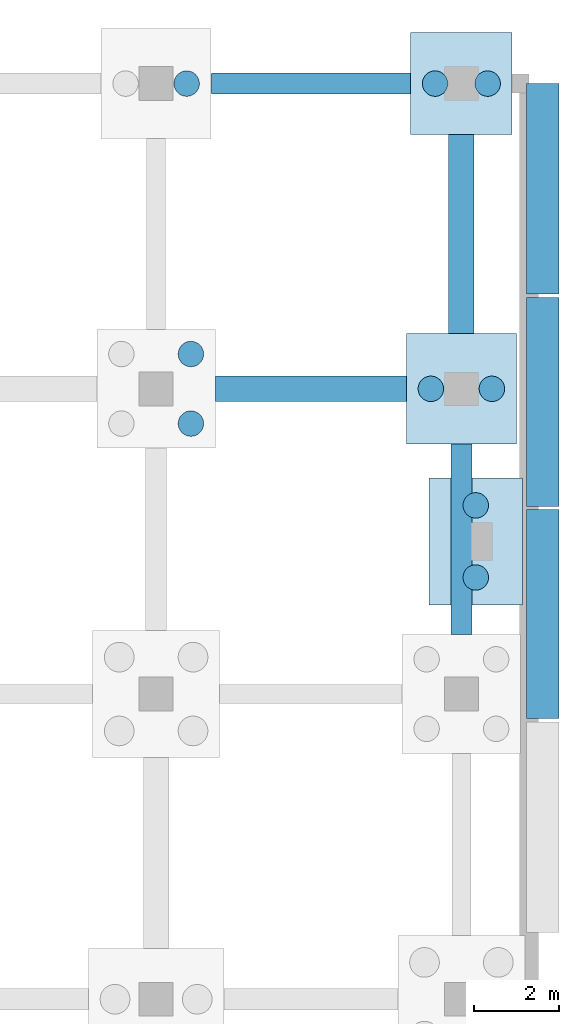
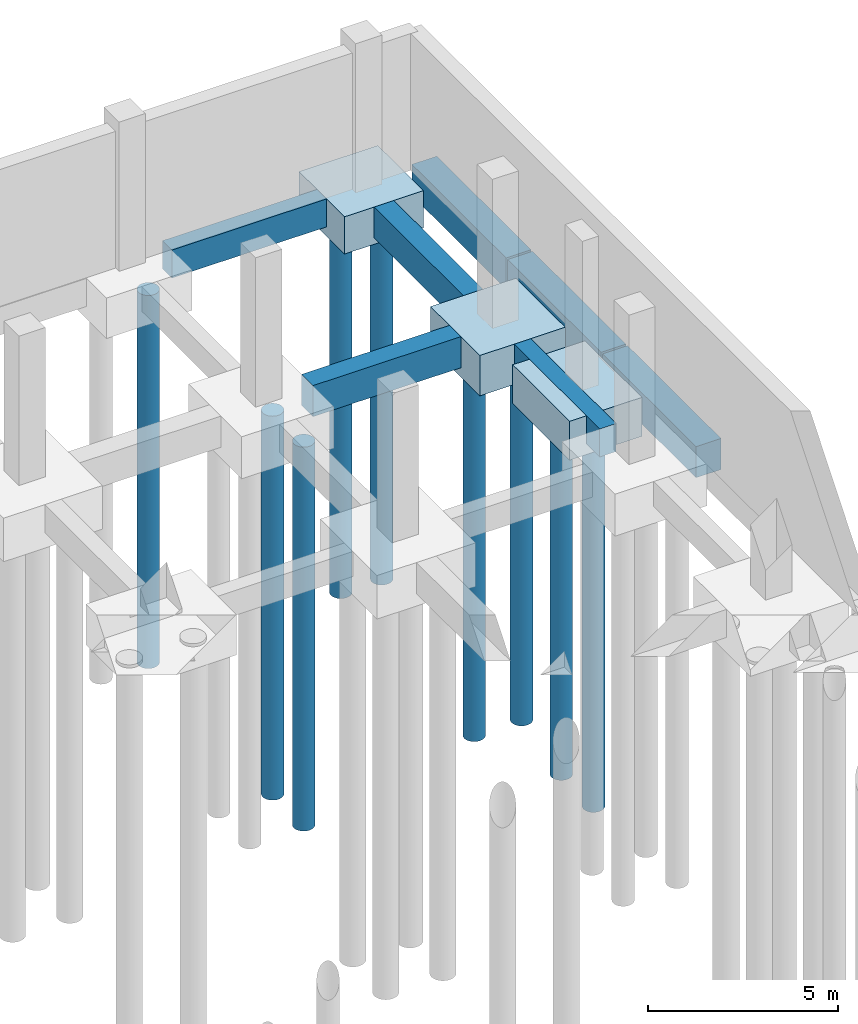
# One storey, part 16 of 38: 10 footings, 9 piles.
"""IFC4 building model written with IfcOpenShell, lengths in metres."""

from ifc_helpers import new_model, si_unit, direction, frame, origin, origin_2d, place, context, subcontext, project, spatial, rectangle, circle, extrude, material, material_profile, profile_set, type_object, element, save


model = new_model("IFC4")

# Units and contexts
model_context = context("Model", 3, precision=1e-05, world=origin(), true_north=direction((0.0, 1.0)))
body_context = subcontext(model_context, "Body", "Model", "MODEL_VIEW")
ifc_project = project(units=[si_unit("LENGTHUNIT", "METRE"), si_unit("AREAUNIT", "SQUARE_METRE"), si_unit("VOLUMEUNIT", "CUBIC_METRE"), si_unit("PLANEANGLEUNIT", "RADIAN"), si_unit("MASSUNIT", "GRAM", prefix="KILO")], contexts=[model_context])

# Site, building, storey
site_placement = place(None, origin())
site = spatial("IfcSite", under=ifc_project, at=site_placement, CompositionType="ELEMENT")
building_placement = place(site_placement, origin())
building = spatial("IfcBuilding", under=site, at=building_placement, Name="Valkovuoma Quantum and Materials Research Institute", CompositionType="ELEMENT")
storey_placement = place(building_placement, frame((0.0, 0.0, -4.800048828125)))
storey = spatial("IfcBuildingStorey", under=building, at=storey_placement, Name="B1", CompositionType="ELEMENT", Elevation=-4.800048828125)

# Footings
ifc_material_1 = material(Name="Concrete C35/45", Category="concrete")
footing_type_1 = type_object("IfcFootingType", Name="Cap-PC-03", PredefinedType="PILE_CAP", material=ifc_material_1)
footing_1_placement = place(storey_placement, frame((165.60009765625, 115.199951171875, -1.19970703125), z_axis=(0.0, 0.0, 1.0), x_axis=(1.0, 0.0, 0.0)))
element("IfcFooting", 1, at=footing_1_placement, inside=storey, type_object=footing_type_1, Name="B1 pile cap 24S", PredefinedType="PILE_CAP", context=body_context, shape_type="SweptSolid", body=[
    extrude(rectangle(XDim=2.39990234375, YDim=2.39990234375, at=origin_2d()), origin(), (0.0, 0.0, 1.0), 1.199951171875),
])
ifc_material_2 = material(Name="Concrete C35/45", Category="concrete")
footing_type_2 = type_object("IfcFootingType", Name="Cap-PC-04", PredefinedType="PILE_CAP", material=ifc_material_2)
footing_2_placement = place(storey_placement, frame((165.60009765625, 108.0, -1.2998046875), z_axis=(0.0, 0.0, 1.0), x_axis=(1.0, 0.0, 0.0)))
element("IfcFooting", 2, at=footing_2_placement, inside=storey, type_object=footing_type_2, Name="B1 pile cap 24R", PredefinedType="PILE_CAP", context=body_context, shape_type="SweptSolid", body=[
    extrude(rectangle(XDim=2.60009765625, YDim=2.60009765625, at=origin_2d()), origin(), (0.0, 0.0, 1.0), 1.300048828125),
])
ifc_material_3 = material(Name="Concrete C35/45", Category="concrete")
footing_type_3 = type_object("IfcFootingType", Name="Cap-PC-11", PredefinedType="PILE_CAP", material=ifc_material_3)
footing_3_placement = place(storey_placement, frame((165.93994140625, 104.39990234375, -1.25), z_axis=(0.0, 0.0, 1.0), x_axis=(1.0, 0.0, 0.0)))
element("IfcFooting", 3, at=footing_3_placement, inside=storey, type_object=footing_type_3, Name="B1 pilaster pile cap 05", PredefinedType="PILE_CAP", context=body_context, shape_type="SweptSolid", body=[
    extrude(rectangle(XDim=2.199951171875, YDim=3.0, at=origin_2d()), origin(), (0.0, 0.0, 1.0), 1.25),
])
ifc_material_4 = material(Name="Concrete C35/45", Category="concrete")
footing_type_4 = type_object("IfcFootingType", Name="GndBeam-FB-02", PredefinedType="FOOTING_BEAM", material=ifc_material_4)
footing_4_placement = place(storey_placement, frame((162.050048828125, 115.199951171875, -0.89990234375), z_axis=(0.0, 0.0, 1.0), x_axis=(1.0, 0.0, 0.0)))
element("IfcFooting", 4, at=footing_4_placement, inside=storey, type_object=footing_type_4, Name="B1 ground tie beam X-430", PredefinedType="FOOTING_BEAM", context=body_context, shape_type="SweptSolid", body=[
    extrude(rectangle(XDim=4.699951171875, YDim=0.5, at=origin_2d()), origin(), (0.0, 0.0, 1.0), 0.89990234375),
])
footing_5_placement = place(storey_placement, frame((165.60009765625, 104.449951171875, -0.89990234375), z_axis=(0.0, 0.0, 1.0), x_axis=(0.0, 1.0, 0.0)))
element("IfcFooting", 5, at=footing_5_placement, inside=storey, type_object=footing_type_4, Name="B1 ground tie beam Y-445", PredefinedType="FOOTING_BEAM", context=body_context, shape_type="SweptSolid", body=[
    extrude(rectangle(XDim=4.5, YDim=0.5, at=origin_2d()), origin(), (0.0, 0.0, 1.0), 0.89990234375),
])
ifc_material_5 = material(Name="Concrete C35/45", Category="concrete")
footing_type_5 = type_object("IfcFootingType", Name="GndBeam-FB-03", PredefinedType="FOOTING_BEAM", material=ifc_material_5)
footing_6_placement = place(storey_placement, frame((162.050048828125, 108.0, -1.0), z_axis=(0.0, 0.0, 1.0), x_axis=(1.0, 0.0, 0.0)))
element("IfcFooting", 6, at=footing_6_placement, inside=storey, type_object=footing_type_5, Name="B1 ground tie beam X-428", PredefinedType="FOOTING_BEAM", context=body_context, shape_type="SweptSolid", body=[
    extrude(rectangle(XDim=4.5, YDim=0.60009765625, at=origin_2d()), origin(), (0.0, 0.0, 1.0), 1.0),
])
footing_7_placement = place(storey_placement, frame((165.60009765625, 111.64990234375, -1.0), z_axis=(0.0, 0.0, 1.0), x_axis=(0.0, 1.0, 0.0)))
element("IfcFooting", 7, at=footing_7_placement, inside=storey, type_object=footing_type_5, Name="B1 ground tie beam Y-446", PredefinedType="FOOTING_BEAM", context=body_context, shape_type="SweptSolid", body=[
    extrude(rectangle(XDim=4.699951171875, YDim=0.60009765625, at=origin_2d()), origin(), (0.0, 0.0, 1.0), 1.0),
])
ifc_material_6 = material(Name="Concrete C35/45", Category="concrete")
footing_type_6 = type_object("IfcFootingType", Name="Pad-PF-04", PredefinedType="PAD_FOOTING", material=ifc_material_6)
for number, where, z_axis, x_axis, name in (
    (8, (167.52001953125, 102.6875, -1.0), (0.0, 0.0, 1.0), (0.0, 1.0, 0.0), "B1 retaining wall pad footing 031"),
    (9, (167.52001953125, 107.6923828125, -1.0), (0.0, 0.0, 1.0), (0.0, 1.0, 0.0), "B1 retaining wall pad footing 032"),
):
    element("IfcFooting", number, at=place(storey_placement, frame(where, z_axis=z_axis, x_axis=x_axis)), inside=storey, type_object=footing_type_6, Name=name, PredefinedType="PAD_FOOTING", context=body_context, shape_type="SweptSolid", body=[
        extrude(rectangle(XDim=4.925048828125, YDim=0.760009765625, at=origin_2d()), origin(), (0.0, 0.0, 1.0), 1.0),
    ])
footing_8_placement = place(storey_placement, frame((167.52001953125, 112.717529296875, -1.0), z_axis=(0.0, 0.0, 1.0), x_axis=(0.0, 1.0, 0.0)))
element("IfcFooting", 10, at=footing_8_placement, inside=storey, type_object=footing_type_6, Name="B1 retaining wall pad footing 033", PredefinedType="PAD_FOOTING", context=body_context, shape_type="SweptSolid", body=[
    extrude(rectangle(XDim=4.965087890625, YDim=0.760009765625, at=origin_2d()), origin(), (0.0, 0.0, 1.0), 1.0),
])

# Piles
ifc_material_7 = material(Name="Concrete C40/50", Category="concrete")
ifc_material_profile = material_profile(ifc_material_7, circle(Radius=0.300048828125, at=origin_2d()), Name="Concrete C40/50")
ifc_profile_set = profile_set([ifc_material_profile], Name="Concrete C40/50")
pile_type = type_object("IfcPileType", Name="Pile-PL-B600", PredefinedType="BORED", material=ifc_profile_set)
for number, where, z_axis, x_axis, name in (
    (11, (159.219970703125, 107.179931640625, -1.25), (0.0, 0.0, -1.0), (1.0, 0.0, 0.0), "B1 pile 23R-2"),
    (12, (159.219970703125, 108.820068359375, -1.25), (0.0, 0.0, -1.0), (1.0, 0.0, 0.0), "B1 pile 23R-4"),
):
    element("IfcPile", number, at=place(storey_placement, frame(where, z_axis=z_axis, x_axis=x_axis)), inside=storey, type_object=pile_type, Name=name, PredefinedType="BORED", context=body_context, shape_type="SweptSolid", body=[
        extrude(circle(Radius=0.300048828125, at=origin_2d()), origin(), (0.0, 0.0, 1.0), 12.35009765625),
    ])
for number, where, z_axis, x_axis, name in (
    (13, (159.1201171875, 115.199951171875, -1.199951171875), (0.0, 0.0, -1.0), (1.0, 0.0, 0.0), "B1 pile 23S-2"),
    (14, (164.8798828125, 108.0, -1.199951171875), (0.0, 0.0, -1.0), (1.0, 0.0, 0.0), "B1 pile 24R-1"),
    (15, (166.320068359375, 108.0, -1.199951171875), (0.0, 0.0, -1.0), (1.0, 0.0, 0.0), "B1 pile 24R-2"),
):
    element("IfcPile", number, at=place(storey_placement, frame(where, z_axis=z_axis, x_axis=x_axis)), inside=storey, type_object=pile_type, Name=name, PredefinedType="BORED", context=body_context, shape_type="SweptSolid", body=[
        extrude(circle(Radius=0.300048828125, at=origin_2d()), origin(), (0.0, 0.0, 1.0), 12.0),
    ])
for number, where, z_axis, x_axis, name in (
    (16, (164.97998046875, 115.199951171875, -1.099853515625), (0.0, 0.0, -1.0), (1.0, 0.0, 0.0), "B1 pile 24S-1"),
    (17, (166.219970703125, 115.199951171875, -1.099853515625), (0.0, 0.0, -1.0), (1.0, 0.0, 0.0), "B1 pile 24S-2"),
):
    element("IfcPile", number, at=place(storey_placement, frame(where, z_axis=z_axis, x_axis=x_axis)), inside=storey, type_object=pile_type, Name=name, PredefinedType="BORED", context=body_context, shape_type="SweptSolid", body=[
        extrude(circle(Radius=0.300048828125, at=origin_2d()), origin(), (0.0, 0.0, 1.0), 11.89990234375),
    ])
for number, where, z_axis, x_axis, name in (
    (18, (165.93994140625, 103.550048828125, -1.14990234375), (0.0, 0.0, -1.0), (1.0, 0.0, 0.0), "B1 pilaster pile 05-1"),
    (19, (165.93994140625, 105.25, -1.14990234375), (0.0, 0.0, -1.0), (1.0, 0.0, 0.0), "B1 pilaster pile 05-2"),
):
    element("IfcPile", number, at=place(storey_placement, frame(where, z_axis=z_axis, x_axis=x_axis)), inside=storey, type_object=pile_type, Name=name, PredefinedType="BORED", context=body_context, shape_type="SweptSolid", body=[
        extrude(circle(Radius=0.300048828125, at=origin_2d()), origin(), (0.0, 0.0, 1.0), 12.0),
    ])

save(model, "model.ifc")
